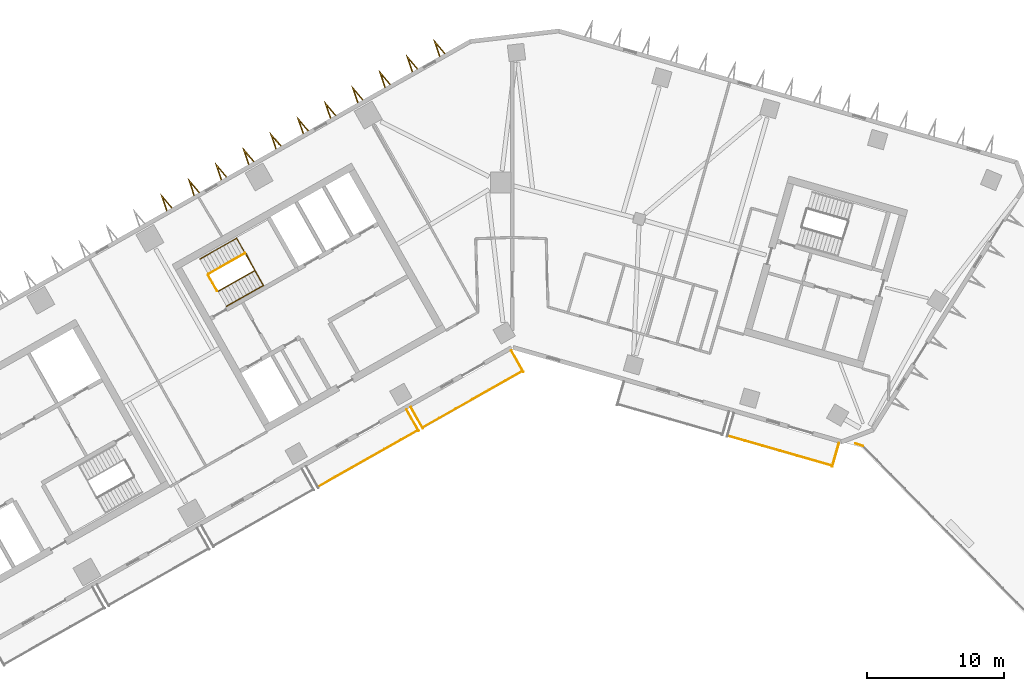
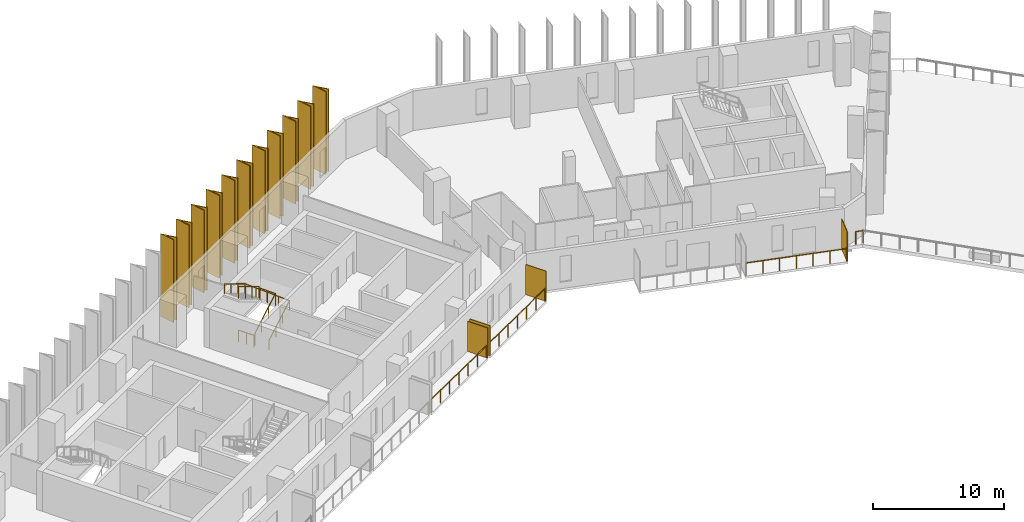
# One storey, part 9 of 12: 15 shading devices, 8 railings.
"""IFC4 building model written with IfcOpenShell, lengths in metres."""

from ifc_helpers import new_model, si_unit, direction, frame, origin, origin_2d, place, context, subcontext, project, spatial, polyline, rectangle, circle, outline, extrude, material, layer, layer_set, type_object, element, save


model = new_model("IFC4")

# Units and contexts
model_context = context("Model", 3, precision=1e-05, world=origin(), true_north=direction((0.0, 1.0)))
body_context = subcontext(model_context, "Body", "Model", "MODEL_VIEW")
ifc_project = project(units=[si_unit("LENGTHUNIT", "METRE"), si_unit("AREAUNIT", "SQUARE_METRE"), si_unit("VOLUMEUNIT", "CUBIC_METRE"), si_unit("PLANEANGLEUNIT", "RADIAN"), si_unit("MASSUNIT", "GRAM", prefix="KILO")], contexts=[model_context])

# Site, building, storey
site_placement = place(None, origin())
site = spatial("IfcSite", under=ifc_project, at=site_placement, CompositionType="ELEMENT")
building_placement = place(site_placement, origin())
building = spatial("IfcBuilding", under=site, at=building_placement, Name="Binnacle Exchange Tower", CompositionType="ELEMENT")
storey_placement = place(building_placement, frame((0.0, 0.0, 154.89990234375)))
storey = spatial("IfcBuildingStorey", under=building, at=storey_placement, Name="L32", CompositionType="ELEMENT", Elevation=154.89990234375)

# Railings
ifc_material_1 = material(Name="Bronze anodised aluminium frame", Category="aluminium")
railing_type_1 = type_object("IfcRailingType", Name="GUARD 1200", PredefinedType="GUARDRAIL", material=ifc_material_1)
railing_1_placement = place(storey_placement, frame((-14.135498046875, 37.85400390625, 0.0)))
element("IfcRailing", 1, at=railing_1_placement, inside=storey, type_object=railing_type_1, Name="Balcony guard G01-B03 L32", PredefinedType="GUARDRAIL", context=body_context, shape_type="SweptSolid", body=[
    extrude(circle(Radius=0.02392578125, at=origin_2d()), frame((0.0, 0.0, 1.17578125), z_axis=(0.870365821494, 0.492405662818, 0.0), x_axis=(-0.492405662818, 0.870365821494, 0.0)), (0.0, 0.0, 1.0), 8.334716796875),
    extrude(circle(Radius=0.02099609375, at=origin_2d()), origin(), (0.0, 0.0, 1.0), 1.15185546875),
    extrude(circle(Radius=0.02099609375, at=origin_2d()), frame((1.208984375, 0.68408203125, 0.0)), (0.0, 0.0, 1.0), 1.15185546875),
    extrude(circle(Radius=0.02099609375, at=origin_2d()), frame((2.41796875, 1.367919921875, 0.0)), (0.0, 0.0, 1.0), 1.15185546875),
    extrude(circle(Radius=0.02099609375, at=origin_2d()), frame((3.626953125, 2.052001953125, 0.0)), (0.0, 0.0, 1.0), 1.15185546875),
    extrude(circle(Radius=0.02099609375, at=origin_2d()), frame((4.836181640625, 2.736083984375, 0.0)), (0.0, 0.0, 1.0), 1.15185546875),
    extrude(circle(Radius=0.02099609375, at=origin_2d()), frame((6.045166015625, 3.419921875, 0.0)), (0.0, 0.0, 1.0), 1.15185546875),
    extrude(circle(Radius=0.02099609375, at=origin_2d()), frame((7.254150390625, 4.10400390625, 0.0)), (0.0, 0.0, 1.0), 1.15185546875),
])
railing_2_placement = place(storey_placement, frame((-6.515869140625, 42.164794921875, 0.0)))
element("IfcRailing", 2, at=railing_2_placement, inside=storey, type_object=railing_type_1, Name="Balcony guard G01-B04 L32", PredefinedType="GUARDRAIL", context=body_context, shape_type="SweptSolid", body=[
    extrude(circle(Radius=0.02392578125, at=origin_2d()), frame((0.0, 0.0, 1.17578125), z_axis=(0.8703461643, 0.49244040684, 0.0), x_axis=(-0.49244040684, 0.8703461643, 0.0)), (0.0, 0.0, 1.0), 8.33447265625),
    extrude(circle(Radius=0.02099609375, at=origin_2d()), origin(), (0.0, 0.0, 1.0), 1.15185546875),
    extrude(circle(Radius=0.02099609375, at=origin_2d()), frame((1.208984375, 0.68408203125, 0.0)), (0.0, 0.0, 1.0), 1.15185546875),
    extrude(circle(Radius=0.02099609375, at=origin_2d()), frame((2.41796875, 1.3681640625, 0.0)), (0.0, 0.0, 1.0), 1.15185546875),
    extrude(circle(Radius=0.02099609375, at=origin_2d()), frame((3.626953125, 2.05224609375, 0.0)), (0.0, 0.0, 1.0), 1.15185546875),
    extrude(circle(Radius=0.02099609375, at=origin_2d()), frame((4.8359375, 2.736083984375, 0.0)), (0.0, 0.0, 1.0), 1.15185546875),
    extrude(circle(Radius=0.02099609375, at=origin_2d()), frame((6.044921875, 3.420166015625, 0.0)), (0.0, 0.0, 1.0), 1.15185546875),
    extrude(circle(Radius=0.02099609375, at=origin_2d()), frame((7.25390625, 4.104248046875, 0.0)), (0.0, 0.0, 1.0), 1.15185546875),
])
railing_3_placement = place(storey_placement, frame((15.6826171875, 41.5576171875, 0.0)))
element("IfcRailing", 3, at=railing_3_placement, inside=storey, type_object=railing_type_1, Name="Balcony guard G02-B02 L32", PredefinedType="GUARDRAIL", context=body_context, shape_type="SweptSolid", body=[
    extrude(circle(Radius=0.02392578125, at=origin_2d()), frame((0.0, 0.0, 1.17578125), z_axis=(0.961265805968, -0.275623022035, 0.0), x_axis=(0.275623022035, 0.961265805968, 0.0)), (0.0, 0.0, 1.0), 7.900146484375),
    extrude(circle(Radius=0.02099609375, at=origin_2d()), origin(), (0.0, 0.0, 1.0), 1.15185546875),
    extrude(circle(Radius=0.02099609375, at=origin_2d()), frame((1.265625, -0.36279296875, 0.0)), (0.0, 0.0, 1.0), 1.15185546875),
    extrude(circle(Radius=0.02099609375, at=origin_2d()), frame((2.531494140625, -0.725830078125, 0.0)), (0.0, 0.0, 1.0), 1.15185546875),
    extrude(circle(Radius=0.02099609375, at=origin_2d()), frame((3.797119140625, -1.0888671875, 0.0)), (0.0, 0.0, 1.0), 1.15185546875),
    extrude(circle(Radius=0.02099609375, at=origin_2d()), frame((5.062744140625, -1.45166015625, 0.0)), (0.0, 0.0, 1.0), 1.15185546875),
    extrude(circle(Radius=0.02099609375, at=origin_2d()), frame((6.32861328125, -1.814453125, 0.0)), (0.0, 0.0, 1.0), 1.15185546875),
    extrude(circle(Radius=0.02099609375, at=origin_2d()), frame((7.59423828125, -2.177490234375, 0.0)), (0.0, 0.0, 1.0), 1.15185546875),
])
railing_4_placement = place(storey_placement, frame((24.993896484375, 40.989013671875, 0.0)))
element("IfcRailing", 4, at=railing_4_placement, inside=storey, type_object=railing_type_1, Name="Terrace guard 1 Terrace T3", PredefinedType="GUARDRAIL", context=body_context, shape_type="SweptSolid", body=[
    extrude(circle(Radius=0.02392578125, at=origin_2d()), frame((0.0, 0.0, 1.17578125), z_axis=(0.95143723329, -0.307842802594, 0.0), x_axis=(0.307842802594, 0.95143723329, 0.0)), (0.0, 0.0, 1.0), 0.577392578125),
    extrude(circle(Radius=0.02099609375, at=origin_2d()), origin(), (0.0, 0.0, 1.0), 1.15185546875),
    extrude(circle(Radius=0.02099609375, at=origin_2d()), frame((0.54931640625, -0.177734375, 0.0)), (0.0, 0.0, 1.0), 1.15185546875),
])

# Shading devices
ifc_material_2 = material(Name="Bronze aluminium louvre", Category="aluminium")
ifc_layer = layer(ifc_material_2, 0.06005859375)
ifc_layer_set = layer_set([ifc_layer], Name="PLANTED SCREEN 60x2800")
shading_device_type_1 = type_object("IfcShadingDeviceType", Name="PLANTED SCREEN 60x2800", PredefinedType="USERDEFINED", material=ifc_layer_set)
for number, where, z_axis, x_axis, name in (
    (5, (-7.259033203125, 42.6865234375, 0.0), (0.0, 0.0, 1.0), (0.87035569594, 0.492423560103, 0.0), "Planted screen G01-B03b L32"),
    (6, (-6.94580078125, 42.864013671875, 0.0), (0.0, 0.0, 1.0), (0.87035569594, 0.492423560103, 0.0), "Planted screen G01-B04a L32"),
    (7, (0.3603515625, 46.99755859375, 0.0), (0.0, 0.0, 1.0), (0.87035569594, 0.492423560103, 0.0), "Planted screen G01-B04b L32"),
    (8, (23.53173828125, 40.16015625, 0.0), (0.0, 0.0, 1.0), (0.961261695938, -0.275637355817, 0.0), "Planted screen G02-B02b L32"),
):
    element("IfcShadingDevice", number, at=place(storey_placement, frame(where, z_axis=z_axis, x_axis=x_axis)), inside=storey, type_object=shading_device_type_1, Name=name, ObjectType="SCREEN", PredefinedType="USERDEFINED", context=body_context, shape_type="SweptSolid", body=[
        extrude(rectangle(XDim=0.06005859375, YDim=1.800048828125, at=origin_2d()), origin(), (0.0, 0.0, 1.0), 2.800048828125),
    ])

# Railings
ifc_material_3 = material(Name="Steel guard rail", Category="steel")
railing_type_2 = type_object("IfcRailingType", Name="STAIR GUARD 1100", PredefinedType="GUARDRAIL", material=ifc_material_3)
railing_5_placement = place(storey_placement, frame((-21.423828125, 52.07275390625, 0.166748046875)))
element("IfcRailing", 9, at=railing_5_placement, inside=storey, type_object=railing_type_2, Name="L32 STC1 stair guard 1", PredefinedType="GUARDRAIL", context=body_context, shape_type="SweptSolid", body=[
    extrude(circle(Radius=0.02392578125, at=origin_2d()), frame((0.0, 0.0, 1.076171875), z_axis=(0.747900833971, 0.423129324283, 0.511474258861), x_axis=(-0.492412445098, 0.870361984414, 0.0)), (0.0, 0.0, 1.0), 3.584228515625),
    extrude(circle(Radius=0.02392578125, at=origin_2d()), frame((2.6806640625, 1.5166015625, 2.9091796875), z_axis=(-0.460963092712, 0.887419307406, 0.0), x_axis=(-0.887419307406, -0.460963092712, 0.0)), (0.0, 0.0, 1.0), 1.40087890625),
    extrude(circle(Radius=0.02099609375, at=origin_2d()), origin(), (0.0, 0.0, 1.0), 1.052001953125),
    extrude(circle(Radius=0.02099609375, at=origin_2d()), frame((0.8935546875, 0.505615234375, 0.611083984375)), (0.0, 0.0, 1.0), 1.052001953125),
    extrude(circle(Radius=0.02099609375, at=origin_2d()), frame((1.787109375, 1.010986328125, 1.22216796875)), (0.0, 0.0, 1.0), 1.052001953125),
    extrude(circle(Radius=0.02099609375, at=origin_2d()), frame((2.6806640625, 1.5166015625, 1.833251953125)), (0.0, 0.0, 1.0), 1.052001953125),
    extrude(circle(Radius=0.02099609375, at=origin_2d()), frame((2.35791015625, 2.13818359375, 1.833251953125)), (0.0, 0.0, 1.0), 1.052001953125),
    extrude(circle(Radius=0.02099609375, at=origin_2d()), frame((2.034912109375, 2.759765625, 1.833251953125)), (0.0, 0.0, 1.0), 1.052001953125),
])
railing_6_placement = place(storey_placement, frame((-19.45703125, 54.851318359375, 2.166748046875)))
element("IfcRailing", 10, at=railing_6_placement, inside=storey, type_object=railing_type_2, Name="L32 STC1 stair guard 2", PredefinedType="GUARDRAIL", context=body_context, shape_type="SweptSolid", body=[
    extrude(circle(Radius=0.02392578125, at=origin_2d()), frame((0.0, 0.0, 1.076171875), z_axis=(-0.747900833971, -0.423129324283, 0.511474258861), x_axis=(0.492412445098, -0.870361984414, 0.0)), (0.0, 0.0, 1.0), 3.584228515625),
    extrude(circle(Radius=0.02099609375, at=origin_2d()), origin(), (0.0, 0.0, 1.0), 1.052001953125),
    extrude(circle(Radius=0.02099609375, at=origin_2d()), frame((-0.8935546875, -0.505615234375, 0.611083984375)), (0.0, 0.0, 1.0), 1.052001953125),
    extrude(circle(Radius=0.02099609375, at=origin_2d()), frame((-1.787109375, -1.010986328125, 1.22216796875)), (0.0, 0.0, 1.0), 1.052001953125),
    extrude(circle(Radius=0.02099609375, at=origin_2d()), frame((-2.6806640625, -1.5166015625, 1.833251953125)), (0.0, 0.0, 1.0), 1.052001953125),
])
railing_7_placement = place(storey_placement, frame((-21.491943359375, 52.091552734375, 0.0)))
element("IfcRailing", 11, at=railing_7_placement, inside=storey, type_object=railing_type_2, Name="L32 STC1 stair guard 3", PredefinedType="GUARDRAIL", context=body_context, shape_type="SweptSolid", body=[
    extrude(circle(Radius=0.02392578125, at=origin_2d()), frame((0.0, 0.0, 1.076171875), z_axis=(-0.49241474071, 0.870360685654, 0.0), x_axis=(-0.870360685654, -0.49241474071, 0.0)), (0.0, 0.0, 1.0), 1.35009765625),
    extrude(circle(Radius=0.02099609375, at=origin_2d()), origin(), (0.0, 0.0, 1.0), 1.052001953125),
    extrude(circle(Radius=0.02099609375, at=origin_2d()), frame((-0.33251953125, 0.58740234375, 0.0)), (0.0, 0.0, 1.0), 1.052001953125),
    extrude(circle(Radius=0.02099609375, at=origin_2d()), frame((-0.664794921875, 1.175048828125, 0.0)), (0.0, 0.0, 1.0), 1.052001953125),
])
ifc_material_4 = material(Name="Steel handrail", Category="steel")
railing_type_3 = type_object("IfcRailingType", Name="STAIR HANDRAIL 900", PredefinedType="HANDRAIL", material=ifc_material_4)
railing_8_placement = place(storey_placement, frame((-20.808349609375, 50.984619140625, 0.166748046875)))
element("IfcRailing", 12, at=railing_8_placement, inside=storey, type_object=railing_type_3, Name="L32 STC1 stair handrail 1", PredefinedType="HANDRAIL", context=body_context, shape_type="SweptSolid", body=[
    extrude(circle(Radius=0.02392578125, at=origin_2d()), frame((0.0, 0.0, 0.8759765625), z_axis=(0.747909291085, 0.423163685048, 0.51143346387), x_axis=(-0.49243851748, 0.870347233294, 0.0)), (0.0, 0.0, 1.0), 3.58447265625),
    extrude(circle(Radius=0.02392578125, at=origin_2d()), frame((2.680908203125, 1.516845703125, 2.708984375), z_axis=(-0.492001882252, 0.86957179666, 0.042178647619), x_axis=(-0.87034633103, -0.492440112159, 0.0)), (0.0, 0.0, 1.0), 3.953369140625),
    extrude(circle(Radius=0.02392578125, at=origin_2d()), frame((0.73583984375, 4.95458984375, 2.8759765625), z_axis=(-0.747930846092, -0.423107769413, 0.511448203561), x_axis=(0.492378474645, -0.870381202524, 0.0)), (0.0, 0.0, 1.0), 3.58447265625),
    extrude(circle(Radius=0.02099609375, at=origin_2d()), origin(), (0.0, 0.0, 1.0), 0.851806640625),
    extrude(circle(Radius=0.02099609375, at=origin_2d()), frame((0.8935546875, 0.505615234375, 0.611083984375)), (0.0, 0.0, 1.0), 0.851806640625),
    extrude(circle(Radius=0.02099609375, at=origin_2d()), frame((1.787353515625, 1.01123046875, 1.22216796875)), (0.0, 0.0, 1.0), 0.851806640625),
    extrude(circle(Radius=0.02099609375, at=origin_2d()), frame((2.680908203125, 1.516845703125, 1.833251953125)), (0.0, 0.0, 1.0), 0.851806640625),
    extrude(circle(Radius=0.02099609375, at=origin_2d()), frame((2.194580078125, 2.376220703125, 1.875)), (0.0, 0.0, 1.0), 0.851806640625),
    extrude(circle(Radius=0.02099609375, at=origin_2d()), frame((1.70849609375, 3.23583984375, 1.91650390625)), (0.0, 0.0, 1.0), 0.851806640625),
    extrude(circle(Radius=0.02099609375, at=origin_2d()), frame((1.22216796875, 4.09521484375, 1.958251953125)), (0.0, 0.0, 1.0), 0.851806640625),
    extrude(circle(Radius=0.02099609375, at=origin_2d()), frame((0.73583984375, 4.95458984375, 2.0)), (0.0, 0.0, 1.0), 0.851806640625),
    extrude(circle(Radius=0.02099609375, at=origin_2d()), frame((-0.15771484375, 4.448974609375, 2.611083984375)), (0.0, 0.0, 1.0), 0.851806640625),
    extrude(circle(Radius=0.02099609375, at=origin_2d()), frame((-1.051513671875, 3.943603515625, 3.22216796875)), (0.0, 0.0, 1.0), 0.851806640625),
    extrude(circle(Radius=0.02099609375, at=origin_2d()), frame((-1.945068359375, 3.43798828125, 3.833251953125)), (0.0, 0.0, 1.0), 0.851806640625),
])

# Shading devices
ifc_material_5 = material(Name="Bronze aluminium cladding", Category="aluminium")
shading_device_type_2 = type_object("IfcShadingDeviceType", Name="V FIN 1300 DEEP x 7680 HIGH", PredefinedType="USERDEFINED", material=ifc_material_5)
shading_device_1_placement = place(storey_placement, origin())
element("IfcShadingDevice", 13, at=shading_device_1_placement, inside=storey, type_object=shading_device_type_2, Name="V fin FN-G08-01 L32", ObjectType="FIN", PredefinedType="USERDEFINED", context=body_context, shape_type="SweptSolid", body=[
    extrude(outline(polyline([(-4.88916015625, 69.40625), (-5.746826171875, 70.41455078125), (-5.32421875, 69.159912109375), (-5.25341796875, 69.2001953125), (-5.5380859375, 70.0458984375), (-4.9599609375, 69.3662109375), (-4.88916015625, 69.40625)])), origin(), (0.0, 0.0, 1.0), 7.68017578125),
])
shading_device_2_placement = place(storey_placement, origin())
element("IfcShadingDevice", 14, at=shading_device_2_placement, inside=storey, type_object=shading_device_type_2, Name="V fin FN-G08-02 L32", ObjectType="FIN", PredefinedType="USERDEFINED", context=body_context, shape_type="SweptSolid", body=[
    extrude(outline(polyline([(-6.87548828125, 68.2822265625), (-7.7333984375, 69.290771484375), (-7.310791015625, 68.0361328125), (-7.239990234375, 68.076171875), (-7.524658203125, 68.922119140625), (-6.946533203125, 68.2421875), (-6.87548828125, 68.2822265625)])), origin(), (0.0, 0.0, 1.0), 7.68017578125),
])
shading_device_3_placement = place(storey_placement, origin())
element("IfcShadingDevice", 15, at=shading_device_3_placement, inside=storey, type_object=shading_device_type_2, Name="V fin FN-G08-03 L32", ObjectType="FIN", PredefinedType="USERDEFINED", context=body_context, shape_type="SweptSolid", body=[
    extrude(outline(polyline([(-8.862060546875, 67.158203125), (-9.719970703125, 68.166748046875), (-9.29736328125, 66.912109375), (-9.226318359375, 66.9521484375), (-9.51123046875, 67.798095703125), (-8.93310546875, 67.1181640625), (-8.862060546875, 67.158203125)])), origin(), (0.0, 0.0, 1.0), 7.68017578125),
])
shading_device_4_placement = place(storey_placement, origin())
element("IfcShadingDevice", 16, at=shading_device_4_placement, inside=storey, type_object=shading_device_type_2, Name="V fin FN-G08-04 L32", ObjectType="FIN", PredefinedType="USERDEFINED", context=body_context, shape_type="SweptSolid", body=[
    extrude(outline(polyline([(-10.8486328125, 66.034423828125), (-11.70654296875, 67.042724609375), (-11.283935546875, 65.7880859375), (-11.212890625, 65.828369140625), (-11.497802734375, 66.674072265625), (-10.919677734375, 65.994384765625), (-10.8486328125, 66.034423828125)])), origin(), (0.0, 0.0, 1.0), 7.68017578125),
])
shading_device_5_placement = place(storey_placement, origin())
element("IfcShadingDevice", 17, at=shading_device_5_placement, inside=storey, type_object=shading_device_type_2, Name="V fin FN-G08-05 L32", ObjectType="FIN", PredefinedType="USERDEFINED", context=body_context, shape_type="SweptSolid", body=[
    extrude(outline(polyline([(-12.835205078125, 64.910400390625), (-13.693115234375, 65.9189453125), (-13.2705078125, 64.664306640625), (-13.199462890625, 64.704345703125), (-13.484375, 65.55029296875), (-12.906005859375, 64.870361328125), (-12.835205078125, 64.910400390625)])), origin(), (0.0, 0.0, 1.0), 7.68017578125),
])
shading_device_6_placement = place(storey_placement, origin())
element("IfcShadingDevice", 18, at=shading_device_6_placement, inside=storey, type_object=shading_device_type_2, Name="V fin FN-G08-06 L32", ObjectType="FIN", PredefinedType="USERDEFINED", context=body_context, shape_type="SweptSolid", body=[
    extrude(outline(polyline([(-14.82177734375, 63.78662109375), (-15.6796875, 64.794921875), (-15.257080078125, 63.540283203125), (-15.18603515625, 63.580322265625), (-15.470947265625, 64.42626953125), (-14.892578125, 63.746337890625), (-14.82177734375, 63.78662109375)])), origin(), (0.0, 0.0, 1.0), 7.68017578125),
])
shading_device_7_placement = place(storey_placement, origin())
element("IfcShadingDevice", 19, at=shading_device_7_placement, inside=storey, type_object=shading_device_type_2, Name="V fin FN-G08-07 L32", ObjectType="FIN", PredefinedType="USERDEFINED", context=body_context, shape_type="SweptSolid", body=[
    extrude(outline(polyline([(-16.808349609375, 62.66259765625), (-17.666015625, 63.6708984375), (-17.243408203125, 62.41650390625), (-17.172607421875, 62.45654296875), (-17.45751953125, 63.30224609375), (-16.879150390625, 62.62255859375), (-16.808349609375, 62.66259765625)])), origin(), (0.0, 0.0, 1.0), 7.68017578125),
])
shading_device_8_placement = place(storey_placement, origin())
element("IfcShadingDevice", 20, at=shading_device_8_placement, inside=storey, type_object=shading_device_type_2, Name="V fin FN-G08-08 L32", ObjectType="FIN", PredefinedType="USERDEFINED", context=body_context, shape_type="SweptSolid", body=[
    extrude(outline(polyline([(-18.794921875, 61.53857421875), (-19.652587890625, 62.547119140625), (-19.22998046875, 61.29248046875), (-19.1591796875, 61.33251953125), (-19.444091796875, 62.17822265625), (-18.86572265625, 61.49853515625), (-18.794921875, 61.53857421875)])), origin(), (0.0, 0.0, 1.0), 7.68017578125),
])
shading_device_9_placement = place(storey_placement, origin())
element("IfcShadingDevice", 21, at=shading_device_9_placement, inside=storey, type_object=shading_device_type_2, Name="V fin FN-G08-09 L32", ObjectType="FIN", PredefinedType="USERDEFINED", context=body_context, shape_type="SweptSolid", body=[
    extrude(outline(polyline([(-20.781494140625, 60.414794921875), (-21.639404296875, 61.423095703125), (-21.216796875, 60.16845703125), (-21.145751953125, 60.20849609375), (-21.4306640625, 61.054443359375), (-20.852294921875, 60.37451171875), (-20.781494140625, 60.414794921875)])), origin(), (0.0, 0.0, 1.0), 7.68017578125),
])
shading_device_10_placement = place(storey_placement, origin())
element("IfcShadingDevice", 22, at=shading_device_10_placement, inside=storey, type_object=shading_device_type_2, Name="V fin FN-G08-10 L32", ObjectType="FIN", PredefinedType="USERDEFINED", context=body_context, shape_type="SweptSolid", body=[
    extrude(outline(polyline([(-22.76806640625, 59.290771484375), (-23.625732421875, 60.29931640625), (-23.203125, 59.044677734375), (-23.13232421875, 59.084716796875), (-23.4169921875, 59.930419921875), (-22.8388671875, 59.250732421875), (-22.76806640625, 59.290771484375)])), origin(), (0.0, 0.0, 1.0), 7.68017578125),
])
shading_device_11_placement = place(storey_placement, origin())
element("IfcShadingDevice", 23, at=shading_device_11_placement, inside=storey, type_object=shading_device_type_2, Name="V fin FN-G08-11 L32", ObjectType="FIN", PredefinedType="USERDEFINED", context=body_context, shape_type="SweptSolid", body=[
    extrude(outline(polyline([(-24.754638671875, 58.166748046875), (-25.6123046875, 59.17529296875), (-25.189697265625, 57.920654296875), (-25.118896484375, 57.960693359375), (-25.40380859375, 58.806396484375), (-24.825439453125, 58.126708984375), (-24.754638671875, 58.166748046875)])), origin(), (0.0, 0.0, 1.0), 7.68017578125),
])

save(model, "model.ifc")
